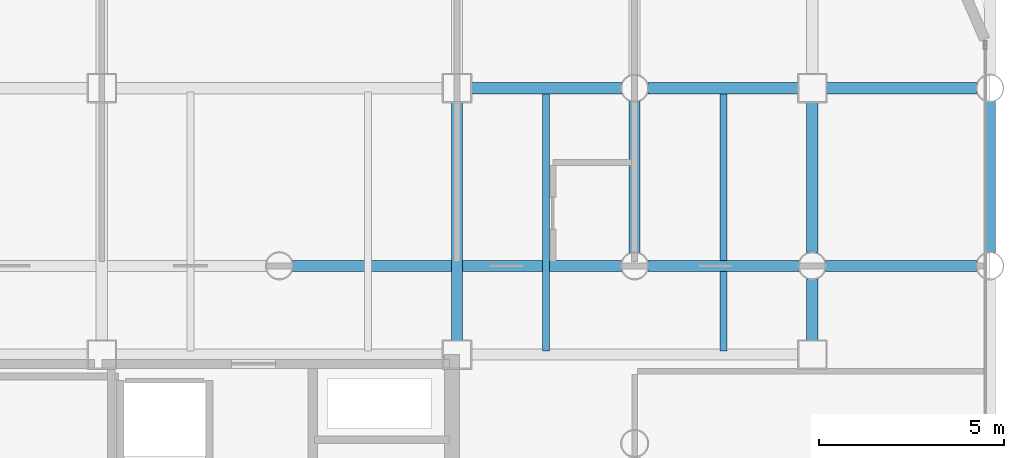
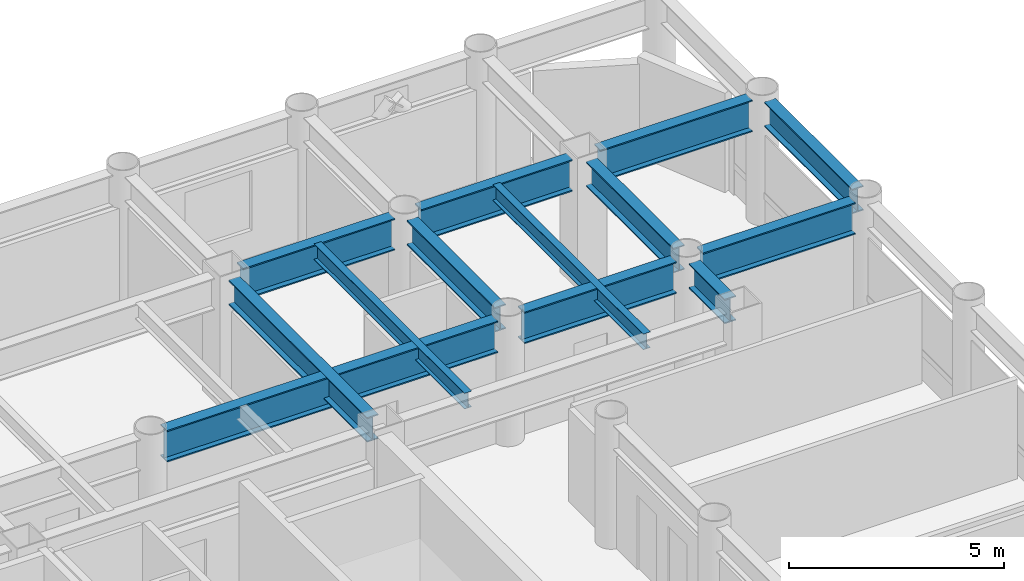
# One storey, part 13 of 21: 13 beams.
"""IFC4 building model written with IfcOpenShell, lengths in metres."""

from ifc_helpers import new_model, si_unit, direction, frame, origin, origin_2d, place, context, subcontext, project, spatial, i_section, extrude, material, material_profile, profile_set, type_object, element, save


model = new_model("IFC4")

# Units and contexts
model_context = context("Model", 3, precision=1e-05, world=origin(), true_north=direction((0.0, 1.0)))
body_context = subcontext(model_context, "Body", "Model", "MODEL_VIEW")
ifc_project = project(units=[si_unit("LENGTHUNIT", "METRE"), si_unit("AREAUNIT", "SQUARE_METRE"), si_unit("VOLUMEUNIT", "CUBIC_METRE"), si_unit("PLANEANGLEUNIT", "RADIAN"), si_unit("MASSUNIT", "GRAM", prefix="KILO")], contexts=[model_context])

# Site, building, storey
site_placement = place(None, origin())
site = spatial("IfcSite", under=ifc_project, at=site_placement, CompositionType="ELEMENT")
building_placement = place(site_placement, origin())
building = spatial("IfcBuilding", under=site, at=building_placement, Name="Kallvorn Hotel Tower", CompositionType="ELEMENT")
storey_placement = place(building_placement, frame((0.0, 0.0, 52.199951171875)))
storey = spatial("IfcBuildingStorey", under=building, at=storey_placement, Name="L11", CompositionType="ELEMENT", Elevation=52.199951171875)

# Beams
ifc_material_1 = material(Name="Structural steel S355JR", Category="steel")
ifc_material_profile_1 = material_profile(ifc_material_1, i_section(OverallWidth=0.300048828125, OverallDepth=0.699951171875, WebThickness=0.01708984375, FlangeThickness=0.031982421875, at=origin_2d()), Name="HE 700 B")
ifc_profile_set_1 = profile_set([ifc_material_profile_1], Name="Structural steel S355JR")
beam_type_1 = type_object("IfcBeamType", Name="BM_HE700B", PredefinedType="BEAM", material=ifc_profile_set_1)
beam_1_placement = place(storey_placement, frame((14.39990234375, 7.574951171875, 3.170166015625), z_axis=(0.0, 1.0, 0.0), x_axis=(-1.0, 0.0, 0.0)))
element("IfcBeam", 1, at=beam_1_placement, inside=storey, type_object=beam_type_1, Name="L12 Primary Y-Girder 125", PredefinedType="BEAM", context=body_context, shape_type="SweptSolid", body=[
    extrude(i_section(OverallWidth=0.300048828125, OverallDepth=0.699951171875, WebThickness=0.01708984375, FlangeThickness=0.031982421875, at=origin_2d()), origin(), (0.0, 0.0, 1.0), 6.449951171875),
])
beam_2_placement = place(storey_placement, frame((19.199951171875, 9.9560546875, 3.170166015625), z_axis=(0.0, 1.0, 0.0), x_axis=(-1.0, 0.0, 0.0)))
element("IfcBeam", 2, at=beam_2_placement, inside=storey, type_object=beam_type_1, Name="L12 Primary Y-Girder 134", PredefinedType="BEAM", context=body_context, shape_type="SweptSolid", body=[
    extrude(i_section(OverallWidth=0.300048828125, OverallDepth=0.699951171875, WebThickness=0.01708984375, FlangeThickness=0.031982421875, at=origin_2d()), origin(), (0.0, 0.0, 1.0), 4.087890625),
])
beam_3_placement = place(storey_placement, frame((24.0, 7.574951171875, 3.170166015625), z_axis=(0.0, 1.0, 0.0), x_axis=(-1.0, 0.0, 0.0)))
element("IfcBeam", 3, at=beam_3_placement, inside=storey, type_object=beam_type_1, Name="L12 Primary Y-Girder 140", PredefinedType="BEAM", context=body_context, shape_type="SweptSolid", body=[
    extrude(i_section(OverallWidth=0.300048828125, OverallDepth=0.699951171875, WebThickness=0.01708984375, FlangeThickness=0.031982421875, at=origin_2d()), origin(), (0.0, 0.0, 1.0), 1.6689453125),
])
beam_4_placement = place(storey_placement, frame((24.0, 9.9560546875, 3.170166015625), z_axis=(0.0, 1.0, 0.0), x_axis=(-1.0, 0.0, 0.0)))
element("IfcBeam", 4, at=beam_4_placement, inside=storey, type_object=beam_type_1, Name="L12 Primary Y-Girder 141", PredefinedType="BEAM", context=body_context, shape_type="SweptSolid", body=[
    extrude(i_section(OverallWidth=0.300048828125, OverallDepth=0.699951171875, WebThickness=0.01708984375, FlangeThickness=0.031982421875, at=origin_2d()), origin(), (0.0, 0.0, 1.0), 4.06884765625),
])
beam_5_placement = place(storey_placement, frame((28.800048828125, 9.9560546875, 3.170166015625), z_axis=(0.0, 1.0, 0.0), x_axis=(-1.0, 0.0, 0.0)))
element("IfcBeam", 5, at=beam_5_placement, inside=storey, type_object=beam_type_1, Name="L12 Primary Y-Girder 149", PredefinedType="BEAM", context=body_context, shape_type="SweptSolid", body=[
    extrude(i_section(OverallWidth=0.300048828125, OverallDepth=0.699951171875, WebThickness=0.01708984375, FlangeThickness=0.031982421875, at=origin_2d()), origin(), (0.0, 0.0, 1.0), 4.087890625),
])
ifc_material_2 = material(Name="Structural steel S355JR", Category="steel")
ifc_material_profile_2 = material_profile(ifc_material_2, i_section(OverallWidth=0.300048828125, OverallDepth=0.89990234375, WebThickness=0.0185546875, FlangeThickness=0.034912109375, at=origin_2d()), Name="HE 900 B")
ifc_profile_set_2 = profile_set([ifc_material_profile_2], Name="Structural steel S355JR")
beam_type_2 = type_object("IfcBeamType", Name="BM_HE900B", PredefinedType="BEAM", material=ifc_profile_set_2)
beam_6_placement = place(storey_placement, frame((9.9560546875, 9.60009765625, 3.070068359375), z_axis=(1.0, 0.0, 0.0), x_axis=(0.0, 1.0, 0.0)))
element("IfcBeam", 6, at=beam_6_placement, inside=storey, type_object=beam_type_2, Name="L12 Primary X-Girder 48", PredefinedType="BEAM", context=body_context, shape_type="SweptSolid", body=[
    extrude(i_section(OverallWidth=0.300048828125, OverallDepth=0.89990234375, WebThickness=0.0185546875, FlangeThickness=0.034912109375, at=origin_2d()), origin(), (0.0, 0.0, 1.0), 8.887939453125),
])
for number, where, z_axis, x_axis, name in (
    (7, (19.555908203125, 9.60009765625, 3.070068359375), (1.0, 0.0, 0.0), (0.0, 1.0, 0.0), "L12 Primary X-Girder 49"),
    (8, (24.35595703125, 9.60009765625, 3.070068359375), (1.0, 0.0, 0.0), (0.0, 1.0, 0.0), "L12 Primary X-Girder 50"),
):
    element("IfcBeam", number, at=place(storey_placement, frame(where, z_axis=z_axis, x_axis=x_axis)), inside=storey, type_object=beam_type_2, Name=name, PredefinedType="BEAM", context=body_context, shape_type="SweptSolid", body=[
        extrude(i_section(OverallWidth=0.300048828125, OverallDepth=0.89990234375, WebThickness=0.0185546875, FlangeThickness=0.034912109375, at=origin_2d()), origin(), (0.0, 0.0, 1.0), 4.088134765625),
    ])
for number, where, z_axis, x_axis, name in (
    (9, (14.77490234375, 14.39990234375, 3.070068359375), (1.0, 0.0, 0.0), (0.0, 1.0, 0.0), "L12 Primary X-Girder 58"),
    (10, (19.555908203125, 14.39990234375, 3.070068359375), (1.0, 0.0, 0.0), (0.0, 1.0, 0.0), "L12 Primary X-Girder 59"),
    (11, (24.375, 14.39990234375, 3.070068359375), (1.0, 0.0, 0.0), (0.0, 1.0, 0.0), "L12 Primary X-Girder 60"),
):
    element("IfcBeam", number, at=place(storey_placement, frame(where, z_axis=z_axis, x_axis=x_axis)), inside=storey, type_object=beam_type_2, Name=name, PredefinedType="BEAM", context=body_context, shape_type="SweptSolid", body=[
        extrude(i_section(OverallWidth=0.300048828125, OverallDepth=0.89990234375, WebThickness=0.0185546875, FlangeThickness=0.034912109375, at=origin_2d()), origin(), (0.0, 0.0, 1.0), 4.069091796875),
    ])
ifc_material_3 = material(Name="Structural steel S355JR", Category="steel")
ifc_material_profile_3 = material_profile(ifc_material_3, i_section(OverallWidth=0.18994140625, OverallDepth=0.449951171875, WebThickness=0.009521484375, FlangeThickness=0.0146484375, at=origin_2d()), Name="IPE 450")
ifc_profile_set_3 = profile_set([ifc_material_profile_3], Name="Structural steel S355JR")
beam_type_3 = type_object("IfcBeamType", Name="BM_IPE450", PredefinedType="JOIST", material=ifc_profile_set_3)
for number, where, z_axis, x_axis, name in (
    (12, (16.800048828125, 7.300048828125, 3.295166015625), (0.0, 1.0, 0.0), (-1.0, 0.0, 0.0), "L12 Secondary Composite Joist 207"),
    (13, (21.60009765625, 7.300048828125, 3.295166015625), (0.0, 1.0, 0.0), (-1.0, 0.0, 0.0), "L12 Secondary Composite Joist 209"),
):
    element("IfcBeam", number, at=place(storey_placement, frame(where, z_axis=z_axis, x_axis=x_axis)), inside=storey, type_object=beam_type_3, Name=name, PredefinedType="JOIST", context=body_context, shape_type="SweptSolid", body=[
        extrude(i_section(OverallWidth=0.18994140625, OverallDepth=0.449951171875, WebThickness=0.009521484375, FlangeThickness=0.0146484375, at=origin_2d()), origin(), (0.0, 0.0, 1.0), 7.0),
    ])

save(model, "model.ifc")
